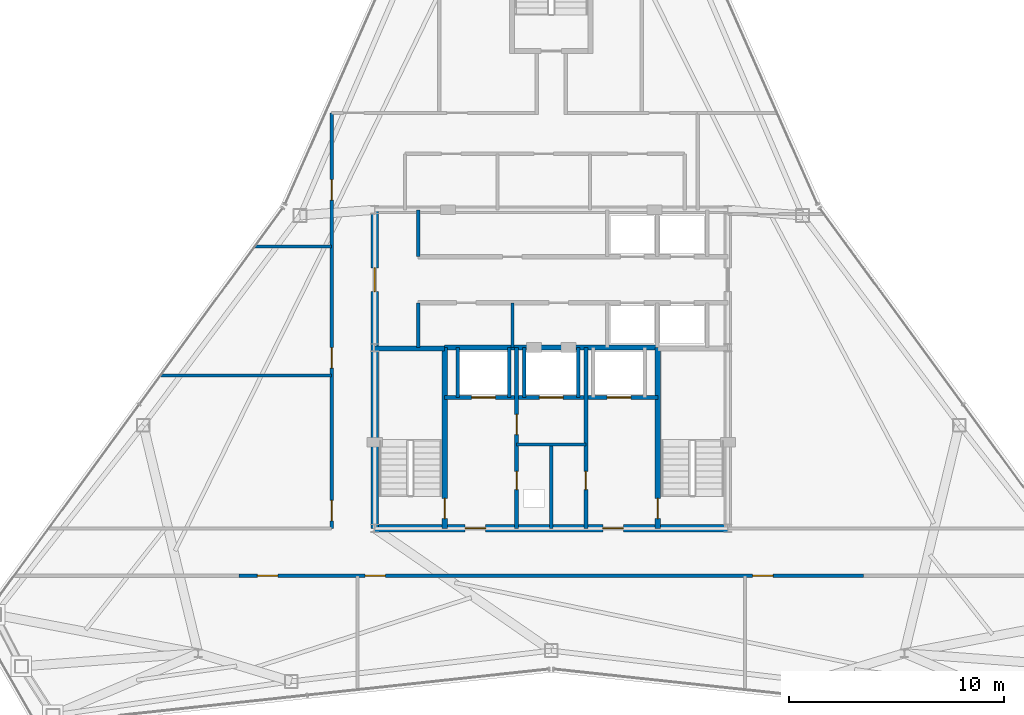
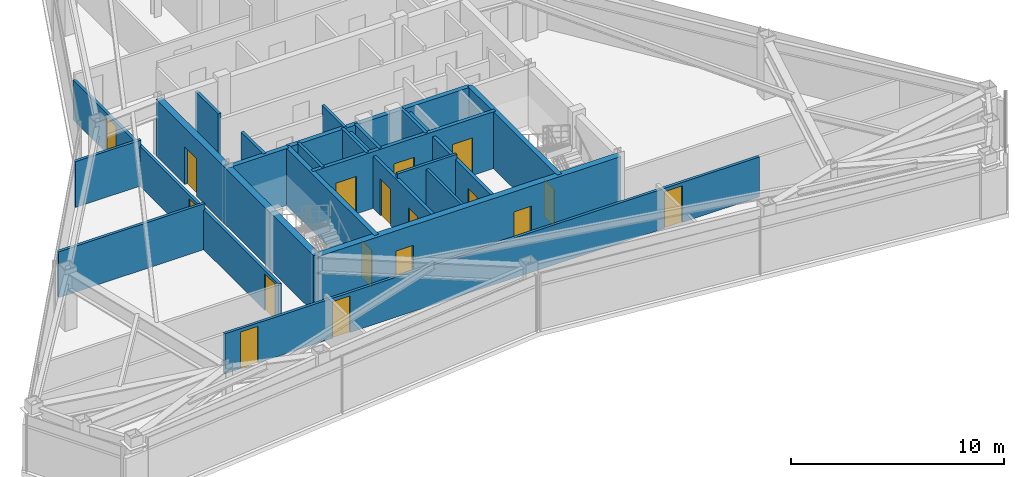
# One storey, part 9 of 12: 22 walls, 17 doors, 17 openings.
"""IFC4 building model written with IfcOpenShell, lengths in metres."""

from ifc_helpers import new_model, si_unit, direction, frame, frame_2d, origin, place, context, subcontext, project, spatial, rectangle, extrude, material, layer, layer_set, type_object, element, fill, save


model = new_model("IFC4")

# Units and contexts
model_context = context("Model", 3, precision=1e-05, world=origin(), true_north=direction((0.0, 1.0)))
body_context = subcontext(model_context, "Body", "Model", "MODEL_VIEW")
ifc_project = project(units=[si_unit("LENGTHUNIT", "METRE"), si_unit("AREAUNIT", "SQUARE_METRE"), si_unit("VOLUMEUNIT", "CUBIC_METRE"), si_unit("PLANEANGLEUNIT", "RADIAN"), si_unit("MASSUNIT", "GRAM", prefix="KILO")], contexts=[model_context])

# Site, building, storey
site_placement = place(None, origin())
site = spatial("IfcSite", under=ifc_project, at=site_placement, CompositionType="ELEMENT")
building_placement = place(site_placement, origin())
building = spatial("IfcBuilding", under=site, at=building_placement, Name="Varakhsha Concourse Tower", CompositionType="ELEMENT")
storey_placement = place(building_placement, frame((0.0, 0.0, 265.5)))
storey = spatial("IfcBuildingStorey", under=building, at=storey_placement, Name="L75", CompositionType="ELEMENT", Elevation=265.5)

# Wall, openings, doors
ifc_material_1 = material(Name="Concrete fc 65 MPa", Category="concrete")
ifc_layer_1 = layer(ifc_material_1, 0.35009765625, Name="WL-CORE-350")
ifc_layer_set_1 = layer_set([ifc_layer_1], Name="Concrete fc 65 MPa")
wall_type_1 = type_object("IfcWallType", Name="WL-CORE-350", PredefinedType="SHEAR", material=ifc_layer_set_1)
wall_1_placement = place(storey_placement, frame((31.800048828125, 16.39990234375, 0.0), z_axis=(0.0, 0.0, 1.0), x_axis=(1.0, 0.0, 0.0)))
wall_1 = element("IfcWall", 1, at=wall_1_placement, inside=storey, type_object=wall_type_1, Name="L75 Wall CWALL-S-L75", PredefinedType="SHEAR", context=body_context, shape_type="SweptSolid", body=[
    extrude(rectangle(XDim=16.39990234375, YDim=0.35009765625, at=frame_2d((8.199951171875, 0.0))), origin(), (0.0, 0.0, 1.0), 3.25),
])
opening_1_placement = place(wall_1_placement, frame((4.199951171875, 0.0, 0.0)))
opening_1 = element("IfcOpeningElement", 2, at=opening_1_placement, cuts=wall_1, Name="Opening DF-05", PredefinedType="OPENING", context=body_context, shape_type="SweptSolid", body=[
    extrude(rectangle(XDim=0.949951171875, YDim=2.10009765625, at=frame_2d((0.47509765625, 1.050048828125))), frame((0.0, 0.18505859375, 0.0), z_axis=(0.0, -1.0, 0.0), x_axis=(1.0, 0.0, 0.0)), (0.0, 0.0, 1.0), 0.3701171875),
])
opening_2_placement = place(wall_1_placement, frame((10.60009765625, 0.0, 0.0)))
opening_2 = element("IfcOpeningElement", 3, at=opening_2_placement, cuts=wall_1, Name="Opening DF-05", PredefinedType="OPENING", context=body_context, shape_type="SweptSolid", body=[
    extrude(rectangle(XDim=0.949951171875, YDim=2.10009765625, at=frame_2d((0.47509765625, 1.050048828125))), frame((0.0, 0.18505859375, 0.0), z_axis=(0.0, -1.0, 0.0), x_axis=(1.0, 0.0, 0.0)), (0.0, 0.0, 1.0), 0.3701171875),
])
ifc_material_2 = material(Name="Hollow Galvanised Steel Fire Door Assembly", Category="steel")
door_type_1 = type_object("IfcDoorType", Name="DR-FD60-950", OperationType="NOTDEFINED", PredefinedType="DOOR", material=ifc_material_2)
door_1_placement = place(opening_1_placement, origin())
door_1 = element("IfcDoor", 4, at=door_1_placement, inside=storey, type_object=door_type_1, Name="L75 Firefighting Lobby West Door", OperationType="SINGLE_SWING_RIGHT", OverallHeight=2.10009765625, OverallWidth=0.949951171875, PredefinedType="DOOR", context=body_context, shape_type="SweptSolid", body=[
    extrude(rectangle(XDim=0.949951171875, YDim=2.10009765625, at=frame_2d((0.47509765625, 1.050048828125))), frame((0.0, 0.02490234375, 0.0), z_axis=(0.0, -1.0, 0.0), x_axis=(1.0, 0.0, 0.0)), (0.0, 0.0, 1.0), 0.050048828125),
])
fill(opening_1, door_1)
door_2_placement = place(opening_2_placement, origin())
door_2 = element("IfcDoor", 5, at=door_2_placement, inside=storey, type_object=door_type_1, Name="L75 Firefighting Lobby East Door", OperationType="SINGLE_SWING_LEFT", OverallHeight=2.10009765625, OverallWidth=0.949951171875, PredefinedType="DOOR", context=body_context, shape_type="SweptSolid", body=[
    extrude(rectangle(XDim=0.949951171875, YDim=2.10009765625, at=frame_2d((0.47509765625, 1.050048828125))), frame((0.0, 0.02490234375, 0.0), z_axis=(0.0, -1.0, 0.0), x_axis=(1.0, 0.0, 0.0)), (0.0, 0.0, 1.0), 0.050048828125),
])
fill(opening_2, door_2)

# Wall, opening, door
wall_2_placement = place(storey_placement, frame((31.800048828125, 16.39990234375, 0.0), z_axis=(0.0, 0.0, 1.0), x_axis=(0.0, 1.0, 0.0)))
wall_2 = element("IfcWall", 6, at=wall_2_placement, inside=storey, type_object=wall_type_1, Name="L75 Wall CWALL-W-L75", PredefinedType="SHEAR", context=body_context, shape_type="SweptSolid", body=[
    extrude(rectangle(XDim=14.800048828125, YDim=0.35009765625, at=frame_2d((7.39990234375, 0.0))), origin(), (0.0, 0.0, 1.0), 3.25),
])
opening_3_placement = place(wall_2_placement, frame((11.0, 0.0, 0.0)))
opening_3 = element("IfcOpeningElement", 7, at=opening_3_placement, cuts=wall_2, Name="Opening DL-01", PredefinedType="OPENING", context=body_context, shape_type="SweptSolid", body=[
    extrude(rectangle(XDim=1.10009765625, YDim=2.14990234375, at=frame_2d((0.550048828125, 1.074951171875))), frame((0.0, 0.18505859375, 0.0), z_axis=(0.0, -1.0, 0.0), x_axis=(1.0, 0.0, 0.0)), (0.0, 0.0, 1.0), 0.3701171875),
])
ifc_material_3 = material(Name="Anodised Bronze Architectural Aluminium AA 6063-T6", Category="aluminium")
door_type_2 = type_object("IfcDoorType", Name="DR-LOB-1100", OperationType="NOTDEFINED", PredefinedType="DOOR", material=ifc_material_3)
door_3_placement = place(opening_3_placement, origin())
door_3 = element("IfcDoor", 8, at=door_3_placement, inside=storey, type_object=door_type_2, Name="L75 Lift Lobby West Concourse Door", OperationType="SINGLE_SWING_LEFT", OverallHeight=2.14990234375, OverallWidth=1.10009765625, PredefinedType="DOOR", context=body_context, shape_type="SweptSolid", body=[
    extrude(rectangle(XDim=1.10009765625, YDim=2.14990234375, at=frame_2d((0.550048828125, 1.074951171875))), frame((0.0, 0.02490234375, 0.0), z_axis=(0.0, -1.0, 0.0), x_axis=(1.0, 0.0, 0.0)), (0.0, 0.0, 1.0), 0.050048828125),
])
fill(opening_3, door_3)

# Wall, openings, doors
ifc_material_4 = material(Name="Fire-Rated Type X Gypsum Partition Assembly", Category="gypsum")
ifc_layer_2 = layer(ifc_material_4, 0.179931640625, Name="WL-FFLOB-180")
ifc_layer_set_2 = layer_set([ifc_layer_2], Name="Fire-Rated Type X Gypsum Partition Assembly")
wall_type_2 = type_object("IfcWallType", Name="WL-FFLOB-180", PredefinedType="PARTITIONING", material=ifc_layer_set_2)
wall_3_placement = place(storey_placement, frame((38.389892578125, 16.39990234375, 0.0), z_axis=(0.0, 0.0, 1.0), x_axis=(0.0, 1.0, 0.0)))
wall_3 = element("IfcWall", 9, at=wall_3_placement, inside=storey, type_object=wall_type_2, Name="L75 Wall FFW-1E-L75", PredefinedType="PARTITIONING", context=body_context, shape_type="SweptSolid", body=[
    extrude(rectangle(XDim=8.400146484375, YDim=0.179931640625, at=frame_2d((4.2001953125, 0.0))), origin(), (0.0, 0.0, 1.0), 2.97802734375),
])
opening_4_placement = place(wall_3_placement, frame((1.800048828125, 0.0, 0.0)))
opening_4 = element("IfcOpeningElement", 10, at=opening_4_placement, cuts=wall_3, Name="Opening DF-07", PredefinedType="OPENING", context=body_context, shape_type="SweptSolid", body=[
    extrude(rectangle(XDim=0.85009765625, YDim=2.050048828125, at=frame_2d((0.425048828125, 1.02490234375))), frame((0.0, 0.099853515625, 0.0), z_axis=(0.0, -1.0, 0.0), x_axis=(1.0, 0.0, 0.0)), (0.0, 0.0, 1.0), 0.199951171875),
])
opening_5_placement = place(wall_3_placement, frame((4.35009765625, 0.0, 0.0)))
opening_5 = element("IfcOpeningElement", 11, at=opening_5_placement, cuts=wall_3, Name="Opening DF-05", PredefinedType="OPENING", context=body_context, shape_type="SweptSolid", body=[
    extrude(rectangle(XDim=0.949951171875, YDim=2.10009765625, at=frame_2d((0.47509765625, 1.050048828125))), frame((0.0, 0.099853515625, 0.0), z_axis=(0.0, -1.0, 0.0), x_axis=(1.0, 0.0, 0.0)), (0.0, 0.0, 1.0), 0.199951171875),
])
door_type_3 = type_object("IfcDoorType", Name="DR-FD60-850", OperationType="NOTDEFINED", PredefinedType="DOOR", material=ifc_material_2)
door_4_placement = place(opening_4_placement, origin())
door_4 = element("IfcDoor", 12, at=door_4_placement, inside=storey, type_object=door_type_3, Name="L75 Power Metering Closet Door", OperationType="SINGLE_SWING_LEFT", OverallHeight=2.050048828125, OverallWidth=0.85009765625, PredefinedType="DOOR", context=body_context, shape_type="SweptSolid", body=[
    extrude(rectangle(XDim=0.85009765625, YDim=2.050048828125, at=frame_2d((0.425048828125, 1.02490234375))), frame((0.0, 0.02490234375, 0.0), z_axis=(0.0, -1.0, 0.0), x_axis=(1.0, 0.0, 0.0)), (0.0, 0.0, 1.0), 0.050048828125),
])
fill(opening_4, door_4)
door_5_placement = place(opening_5_placement, origin())
door_5 = element("IfcDoor", 13, at=door_5_placement, inside=storey, type_object=door_type_1, Name="L75 Service Vestibule Door", OperationType="SINGLE_SWING_RIGHT", OverallHeight=2.10009765625, OverallWidth=0.949951171875, PredefinedType="DOOR", context=body_context, shape_type="SweptSolid", body=[
    extrude(rectangle(XDim=0.949951171875, YDim=2.10009765625, at=frame_2d((0.47509765625, 1.050048828125))), frame((0.0, 0.02490234375, 0.0), z_axis=(0.0, -1.0, 0.0), x_axis=(1.0, 0.0, 0.0)), (0.0, 0.0, 1.0), 0.050048828125),
])
fill(opening_5, door_5)

# Wall, opening, door
wall_4_placement = place(storey_placement, frame((41.610107421875, 16.39990234375, 0.0), z_axis=(0.0, 0.0, 1.0), x_axis=(0.0, 1.0, 0.0)))
wall_4 = element("IfcWall", 14, at=wall_4_placement, inside=storey, type_object=wall_type_2, Name="L75 Wall FFW-2W-L75", PredefinedType="PARTITIONING", context=body_context, shape_type="SweptSolid", body=[
    extrude(rectangle(XDim=8.400146484375, YDim=0.179931640625, at=frame_2d((4.2001953125, 0.0))), origin(), (0.0, 0.0, 1.0), 2.97802734375),
])
opening_6_placement = place(wall_4_placement, frame((1.800048828125, 0.0, 0.0)))
opening_6 = element("IfcOpeningElement", 15, at=opening_6_placement, cuts=wall_4, Name="Opening DF-07", PredefinedType="OPENING", context=body_context, shape_type="SweptSolid", body=[
    extrude(rectangle(XDim=0.85009765625, YDim=2.050048828125, at=frame_2d((0.425048828125, 1.02490234375))), frame((0.0, 0.099853515625, 0.0), z_axis=(0.0, -1.0, 0.0), x_axis=(1.0, 0.0, 0.0)), (0.0, 0.0, 1.0), 0.199951171875),
])
door_6_placement = place(opening_6_placement, origin())
door_6 = element("IfcDoor", 16, at=door_6_placement, inside=storey, type_object=door_type_3, Name="L75 BMS Control Closet Door", OperationType="SINGLE_SWING_RIGHT", OverallHeight=2.050048828125, OverallWidth=0.85009765625, PredefinedType="DOOR", context=body_context, shape_type="SweptSolid", body=[
    extrude(rectangle(XDim=0.85009765625, YDim=2.050048828125, at=frame_2d((0.425048828125, 1.02490234375))), frame((0.0, 0.02490234375, 0.0), z_axis=(0.0, -1.0, 0.0), x_axis=(1.0, 0.0, 0.0)), (0.0, 0.0, 1.0), 0.050048828125),
])
fill(opening_6, door_6)

# Walls
ifc_layer_3 = layer(ifc_material_4, 0.14990234375, Name="WL-PART-150")
ifc_layer_set_3 = layer_set([ifc_layer_3], Name="Fire-Rated Type X Gypsum Partition Assembly")
wall_type_3 = type_object("IfcWallType", Name="WL-PART-150", PredefinedType="PARTITIONING", material=ifc_layer_set_3)
wall_5_placement = place(storey_placement, frame((38.389892578125, 20.300048828125, 0.0), z_axis=(0.0, 0.0, 1.0), x_axis=(1.0, 0.0, 0.0)))
element("IfcWall", 17, at=wall_5_placement, inside=storey, type_object=wall_type_3, Name="L75 Wall RSW-TH-L75", PredefinedType="PARTITIONING", context=body_context, shape_type="SweptSolid", body=[
    extrude(rectangle(XDim=3.22021484375, YDim=0.14990234375, at=frame_2d((1.610107421875, 0.0))), origin(), (0.0, 0.0, 1.0), 3.25),
])
wall_6_placement = place(storey_placement, frame((40.0, 16.39990234375, 0.0), z_axis=(0.0, 0.0, 1.0), x_axis=(0.0, 1.0, 0.0)))
element("IfcWall", 18, at=wall_6_placement, inside=storey, type_object=wall_type_3, Name="L75 Wall RSW-TV-L75", PredefinedType="PARTITIONING", context=body_context, shape_type="SweptSolid", body=[
    extrude(rectangle(XDim=3.900146484375, YDim=0.14990234375, at=frame_2d((1.9501953125, 0.0))), origin(), (0.0, 0.0, 1.0), 2.97802734375),
])
wall_7_placement = place(storey_placement, frame((38.199951171875, 24.800048828125, 0.0), z_axis=(0.0, 0.0, 1.0), x_axis=(0.0, 1.0, 0.0)))
element("IfcWall", 19, at=wall_7_placement, inside=storey, type_object=wall_type_3, Name="L75 Wall P2F-D1-L75", PredefinedType="PARTITIONING", context=body_context, shape_type="SweptSolid", body=[
    extrude(rectangle(XDim=2.079833984375, YDim=0.14990234375, at=frame_2d((1.0400390625, 0.0))), origin(), (0.0, 0.0, 1.0), 3.25),
])

# Wall, openings, doors
wall_8_placement = place(storey_placement, frame((29.800048828125, 16.39990234375, 0.0), z_axis=(0.0, 0.0, 1.0), x_axis=(0.0, 1.0, 0.0)))
wall_8 = element("IfcWall", 20, at=wall_8_placement, inside=storey, type_object=wall_type_3, Name="L75 Wall CRW-W-L75", PredefinedType="PARTITIONING", context=body_context, shape_type="SweptSolid", body=[
    extrude(rectangle(XDim=19.300048828125, YDim=0.14990234375, at=frame_2d((9.64990234375, 0.0))), origin(), (0.0, 0.0, 1.0), 2.2919921875),
])
opening_7_placement = place(wall_8_placement, frame((0.35009765625, 0.0, 0.0)))
opening_7 = element("IfcOpeningElement", 21, at=opening_7_placement, cuts=wall_8, Name="Opening DF-05", PredefinedType="OPENING", context=body_context, shape_type="SweptSolid", body=[
    extrude(rectangle(XDim=0.949951171875, YDim=2.10009765625, at=frame_2d((0.47509765625, 1.050048828125))), frame((0.0, 0.0849609375, 0.0), z_axis=(0.0, -1.0, 0.0), x_axis=(1.0, 0.0, 0.0)), (0.0, 0.0, 1.0), 0.169921875),
])
opening_8_placement = place(wall_8_placement, frame((7.449951171875, 0.0, 0.0)))
opening_8 = element("IfcOpeningElement", 22, at=opening_8_placement, cuts=wall_8, Name="Opening DF-05", PredefinedType="OPENING", context=body_context, shape_type="SweptSolid", body=[
    extrude(rectangle(XDim=0.949951171875, YDim=2.10009765625, at=frame_2d((0.47509765625, 1.050048828125))), frame((0.0, 0.0849609375, 0.0), z_axis=(0.0, -1.0, 0.0), x_axis=(1.0, 0.0, 0.0)), (0.0, 0.0, 1.0), 0.169921875),
])
opening_9_placement = place(wall_8_placement, frame((15.25, 0.0, 0.0)))
opening_9 = element("IfcOpeningElement", 23, at=opening_9_placement, cuts=wall_8, Name="Opening DF-05", PredefinedType="OPENING", context=body_context, shape_type="SweptSolid", body=[
    extrude(rectangle(XDim=0.949951171875, YDim=2.10009765625, at=frame_2d((0.47509765625, 1.050048828125))), frame((0.0, 0.0849609375, 0.0), z_axis=(0.0, -1.0, 0.0), x_axis=(1.0, 0.0, 0.0)), (0.0, 0.0, 1.0), 0.169921875),
])
door_7_placement = place(opening_7_placement, origin())
door_7 = element("IfcDoor", 24, at=door_7_placement, inside=storey, type_object=door_type_1, Name="L75 Legal Research Library L75 Door", OperationType="SINGLE_SWING_RIGHT", OverallHeight=2.10009765625, OverallWidth=0.949951171875, PredefinedType="DOOR", context=body_context, shape_type="SweptSolid", body=[
    extrude(rectangle(XDim=0.949951171875, YDim=2.10009765625, at=frame_2d((0.47509765625, 1.050048828125))), frame((0.0, 0.02490234375, 0.0), z_axis=(0.0, -1.0, 0.0), x_axis=(1.0, 0.0, 0.0)), (0.0, 0.0, 1.0), 0.050048828125),
])
fill(opening_7, door_7)
door_8_placement = place(opening_8_placement, origin())
door_8 = element("IfcDoor", 25, at=door_8_placement, inside=storey, type_object=door_type_1, Name="L75 Senior Partner Chamber L75-W2 Door", OperationType="SINGLE_SWING_LEFT", OverallHeight=2.10009765625, OverallWidth=0.949951171875, PredefinedType="DOOR", context=body_context, shape_type="SweptSolid", body=[
    extrude(rectangle(XDim=0.949951171875, YDim=2.10009765625, at=frame_2d((0.47509765625, 1.050048828125))), frame((0.0, 0.02490234375, 0.0), z_axis=(0.0, -1.0, 0.0), x_axis=(1.0, 0.0, 0.0)), (0.0, 0.0, 1.0), 0.050048828125),
])
fill(opening_8, door_8)
door_9_placement = place(opening_9_placement, origin())
door_9 = element("IfcDoor", 26, at=door_9_placement, inside=storey, type_object=door_type_1, Name="L75 Senior Partner Chamber L75-W3 Door", OperationType="SINGLE_SWING_RIGHT", OverallHeight=2.10009765625, OverallWidth=0.949951171875, PredefinedType="DOOR", context=body_context, shape_type="SweptSolid", body=[
    extrude(rectangle(XDim=0.949951171875, YDim=2.10009765625, at=frame_2d((0.47509765625, 1.050048828125))), frame((0.0, 0.02490234375, 0.0), z_axis=(0.0, -1.0, 0.0), x_axis=(1.0, 0.0, 0.0)), (0.0, 0.0, 1.0), 0.050048828125),
])
fill(opening_9, door_9)

wall_9_placement = place(storey_placement, frame((25.5, 14.199951171875, 0.0), z_axis=(0.0, 0.0, 1.0), x_axis=(1.0, 0.0, 0.0)))
wall_9 = element("IfcWall", 27, at=wall_9_placement, inside=storey, type_object=wall_type_3, Name="L75 Wall CRW-S-DOOR-L75", PredefinedType="PARTITIONING", context=body_context, shape_type="SweptSolid", body=[
    extrude(rectangle(XDim=29.0, YDim=0.14990234375, at=frame_2d((14.5, 0.0))), origin(), (0.0, 0.0, 1.0), 2.2919921875),
])
opening_10_placement = place(wall_9_placement, frame((0.85009765625, 0.0, 0.0)))
opening_10 = element("IfcOpeningElement", 28, at=opening_10_placement, cuts=wall_9, Name="Opening DF-05", PredefinedType="OPENING", context=body_context, shape_type="SweptSolid", body=[
    extrude(rectangle(XDim=0.949951171875, YDim=2.10009765625, at=frame_2d((0.47509765625, 1.050048828125))), frame((0.0, 0.0849609375, 0.0), z_axis=(0.0, -1.0, 0.0), x_axis=(1.0, 0.0, 0.0)), (0.0, 0.0, 1.0), 0.169921875),
])
opening_11_placement = place(wall_9_placement, frame((5.85009765625, 0.0, 0.0)))
opening_11 = element("IfcOpeningElement", 29, at=opening_11_placement, cuts=wall_9, Name="Opening DF-05", PredefinedType="OPENING", context=body_context, shape_type="SweptSolid", body=[
    extrude(rectangle(XDim=0.949951171875, YDim=2.10009765625, at=frame_2d((0.47509765625, 1.050048828125))), frame((0.0, 0.0849609375, 0.0), z_axis=(0.0, -1.0, 0.0), x_axis=(1.0, 0.0, 0.0)), (0.0, 0.0, 1.0), 0.169921875),
])
opening_12_placement = place(wall_9_placement, frame((23.85009765625, 0.0, 0.0)))
opening_12 = element("IfcOpeningElement", 30, at=opening_12_placement, cuts=wall_9, Name="Opening DF-05", PredefinedType="OPENING", context=body_context, shape_type="SweptSolid", body=[
    extrude(rectangle(XDim=0.949951171875, YDim=2.10009765625, at=frame_2d((0.47509765625, 1.050048828125))), frame((0.0, 0.0849609375, 0.0), z_axis=(0.0, -1.0, 0.0), x_axis=(1.0, 0.0, 0.0)), (0.0, 0.0, 1.0), 0.169921875),
])
door_10_placement = place(opening_10_placement, origin())
door_10 = element("IfcDoor", 31, at=door_10_placement, inside=storey, type_object=door_type_1, Name="L75 Deposition Conference Room L75-S1 Door", OperationType="SINGLE_SWING_LEFT", OverallHeight=2.10009765625, OverallWidth=0.949951171875, PredefinedType="DOOR", context=body_context, shape_type="SweptSolid", body=[
    extrude(rectangle(XDim=0.949951171875, YDim=2.10009765625, at=frame_2d((0.47509765625, 1.050048828125))), frame((0.0, 0.02490234375, 0.0), z_axis=(0.0, -1.0, 0.0), x_axis=(1.0, 0.0, 0.0)), (0.0, 0.0, 1.0), 0.050048828125),
])
fill(opening_10, door_10)
door_11_placement = place(opening_11_placement, origin())
door_11 = element("IfcDoor", 32, at=door_11_placement, inside=storey, type_object=door_type_1, Name="L75 Senior Partner Chamber L75-S2 Door", OperationType="SINGLE_SWING_RIGHT", OverallHeight=2.10009765625, OverallWidth=0.949951171875, PredefinedType="DOOR", context=body_context, shape_type="SweptSolid", body=[
    extrude(rectangle(XDim=0.949951171875, YDim=2.10009765625, at=frame_2d((0.47509765625, 1.050048828125))), frame((0.0, 0.02490234375, 0.0), z_axis=(0.0, -1.0, 0.0), x_axis=(1.0, 0.0, 0.0)), (0.0, 0.0, 1.0), 0.050048828125),
])
fill(opening_11, door_11)
door_12_placement = place(opening_12_placement, origin())
door_12 = element("IfcDoor", 33, at=door_12_placement, inside=storey, type_object=door_type_1, Name="L75 Senior Partner Chamber L75-S3 Door", OperationType="SINGLE_SWING_LEFT", OverallHeight=2.10009765625, OverallWidth=0.949951171875, PredefinedType="DOOR", context=body_context, shape_type="SweptSolid", body=[
    extrude(rectangle(XDim=0.949951171875, YDim=2.10009765625, at=frame_2d((0.47509765625, 1.050048828125))), frame((0.0, 0.02490234375, 0.0), z_axis=(0.0, -1.0, 0.0), x_axis=(1.0, 0.0, 0.0)), (0.0, 0.0, 1.0), 0.050048828125),
])
fill(opening_12, door_12)

# Walls
wall_10_placement = place(storey_placement, frame((21.852294921875, 23.5, 0.0), z_axis=(0.0, 0.0, 1.0), x_axis=(1.0, 0.0, 0.0)))
element("IfcWall", 34, at=wall_10_placement, inside=storey, type_object=wall_type_3, Name="L75 Wall ODIV-W1-L75", PredefinedType="PARTITIONING", context=body_context, shape_type="SweptSolid", body=[
    extrude(rectangle(XDim=7.94775390625, YDim=0.14990234375, at=frame_2d((3.973876953125, 0.0))), origin(), (0.0, 0.0, 1.0), 2.6279296875),
])
wall_11_placement = place(storey_placement, frame((26.236328125, 29.5, 0.0), z_axis=(0.0, 0.0, 1.0), x_axis=(1.0, 0.0, 0.0)))
element("IfcWall", 35, at=wall_11_placement, inside=storey, type_object=wall_type_3, Name="L75 Wall ODIV-W2-L75", PredefinedType="PARTITIONING", context=body_context, shape_type="SweptSolid", body=[
    extrude(rectangle(XDim=3.563720703125, YDim=0.14990234375, at=frame_2d((1.78173828125, 0.0))), origin(), (0.0, 0.0, 1.0), 2.6279296875),
])

# Wall, openings, doors
ifc_layer_4 = layer(ifc_material_4, 0.199951171875, Name="WL-SHAFT-220")
ifc_layer_set_4 = layer_set([ifc_layer_4], Name="Fire-Rated Type X Gypsum Partition Assembly")
wall_type_4 = type_object("IfcWallType", Name="WL-SHAFT-220", PredefinedType="SOLIDWALL", material=ifc_layer_set_4)
wall_12_placement = place(storey_placement, frame((35.044921875, 22.47998046875, 0.0), z_axis=(0.0, 0.0, 1.0), x_axis=(1.0, 0.0, 0.0)))
wall_12 = element("IfcWall", 36, at=wall_12_placement, inside=storey, type_object=wall_type_4, Name="L75 Wall FFW-NH-L75", PredefinedType="SOLIDWALL", context=body_context, shape_type="SweptSolid", body=[
    extrude(rectangle(XDim=9.91015625, YDim=0.199951171875, at=frame_2d((4.955078125, 0.0))), origin(), (0.0, 0.0, 1.0), 3.25),
])
opening_13_placement = place(wall_12_placement, frame((1.2548828125, 0.0, 0.0)))
opening_13 = element("IfcOpeningElement", 37, at=opening_13_placement, cuts=wall_12, Name="Opening LD-FFL-1", PredefinedType="OPENING", context=body_context, shape_type="SweptSolid", body=[
    extrude(rectangle(XDim=1.10009765625, YDim=2.14990234375, at=frame_2d((0.550048828125, 1.074951171875))), frame((0.0, 0.10986328125, 0.0), z_axis=(0.0, -1.0, 0.0), x_axis=(1.0, 0.0, 0.0)), (0.0, 0.0, 1.0), 0.219970703125),
])
opening_14_placement = place(wall_12_placement, frame((7.554931640625, 0.0, 0.0)))
opening_14 = element("IfcOpeningElement", 38, at=opening_14_placement, cuts=wall_12, Name="Opening LD-FFL-2", PredefinedType="OPENING", context=body_context, shape_type="SweptSolid", body=[
    extrude(rectangle(XDim=1.10009765625, YDim=2.14990234375, at=frame_2d((0.550048828125, 1.074951171875))), frame((0.0, 0.10986328125, 0.0), z_axis=(0.0, -1.0, 0.0), x_axis=(1.0, 0.0, 0.0)), (0.0, 0.0, 1.0), 0.219970703125),
])
opening_15_placement = place(wall_12_placement, frame((4.405029296875, 0.0, 0.0)))
opening_15 = element("IfcOpeningElement", 39, at=opening_15_placement, cuts=wall_12, Name="Opening LD-SVL-1", PredefinedType="OPENING", context=body_context, shape_type="SweptSolid", body=[
    extrude(rectangle(XDim=1.10009765625, YDim=2.14990234375, at=frame_2d((0.550048828125, 1.074951171875))), frame((0.0, 0.10986328125, 0.0), z_axis=(0.0, -1.0, 0.0), x_axis=(1.0, 0.0, 0.0)), (0.0, 0.0, 1.0), 0.219970703125),
])
ifc_material_5 = material(Name="Brushed Austenitic Stainless Steel AISI 316", Category="steel")
door_type_4 = type_object("IfcDoorType", Name="DR-LD-1100", OperationType="DOUBLE_DOOR_SLIDING", PredefinedType="DOOR", material=ifc_material_5)
door_13_placement = place(opening_13_placement, origin())
door_13 = element("IfcDoor", 40, at=door_13_placement, inside=storey, type_object=door_type_4, Name="Lift Landing Door FFL-1 L75", OperationType="DOUBLE_DOOR_SLIDING", OverallHeight=2.14990234375, OverallWidth=1.10009765625, PredefinedType="DOOR", context=body_context, shape_type="SweptSolid", body=[
    extrude(rectangle(XDim=1.10009765625, YDim=2.14990234375, at=frame_2d((0.550048828125, 1.074951171875))), frame((0.0, 0.02490234375, 0.0), z_axis=(0.0, -1.0, 0.0), x_axis=(1.0, 0.0, 0.0)), (0.0, 0.0, 1.0), 0.050048828125),
])
fill(opening_13, door_13)
door_14_placement = place(opening_14_placement, origin())
door_14 = element("IfcDoor", 41, at=door_14_placement, inside=storey, type_object=door_type_4, Name="Lift Landing Door FFL-2 L75", OperationType="DOUBLE_DOOR_SLIDING", OverallHeight=2.14990234375, OverallWidth=1.10009765625, PredefinedType="DOOR", context=body_context, shape_type="SweptSolid", body=[
    extrude(rectangle(XDim=1.10009765625, YDim=2.14990234375, at=frame_2d((0.550048828125, 1.074951171875))), frame((0.0, 0.02490234375, 0.0), z_axis=(0.0, -1.0, 0.0), x_axis=(1.0, 0.0, 0.0)), (0.0, 0.0, 1.0), 0.050048828125),
])
fill(opening_14, door_14)
door_15_placement = place(opening_15_placement, origin())
door_15 = element("IfcDoor", 42, at=door_15_placement, inside=storey, type_object=door_type_4, Name="Lift Landing Door SVL-1 L75", OperationType="DOUBLE_DOOR_SLIDING", OverallHeight=2.14990234375, OverallWidth=1.10009765625, PredefinedType="DOOR", context=body_context, shape_type="SweptSolid", body=[
    extrude(rectangle(XDim=1.10009765625, YDim=2.14990234375, at=frame_2d((0.550048828125, 1.074951171875))), frame((0.0, 0.02490234375, 0.0), z_axis=(0.0, -1.0, 0.0), x_axis=(1.0, 0.0, 0.0)), (0.0, 0.0, 1.0), 0.050048828125),
])
fill(opening_15, door_15)

# Walls
for number, where, z_axis, x_axis, name in (
    (43, (35.64990234375, 22.47998046875, 0.0), (0.0, 0.0, 1.0), (0.0, 1.0, 0.0), "L75 Wall SHW-FFL-1-W-L75"),
    (44, (38.050048828125, 22.47998046875, 0.0), (0.0, 0.0, 1.0), (0.0, 1.0, 0.0), "L75 Wall SHW-FFL-1-E-L75"),
    (45, (38.75, 22.47998046875, 0.0), (0.0, 0.0, 1.0), (0.0, 1.0, 0.0), "L75 Wall SHW-SVL-1-W-L75"),
    (46, (41.25, 22.47998046875, 0.0), (0.0, 0.0, 1.0), (0.0, 1.0, 0.0), "L75 Wall SHW-SVL-1-E-L75"),
):
    element("IfcWall", number, at=place(storey_placement, frame(where, z_axis=z_axis, x_axis=x_axis)), inside=storey, type_object=wall_type_4, Name=name, PredefinedType="SOLIDWALL", context=body_context, shape_type="SweptSolid", body=[
        extrude(rectangle(XDim=2.320068359375, YDim=0.159912109375, at=frame_2d((1.16015625, 0.0))), origin(), (0.0, 0.0, 1.0), 3.25),
    ])
wall_13_placement = place(storey_placement, frame((33.820068359375, 29.02001953125, 0.0), z_axis=(0.0, 0.0, 1.0), x_axis=(0.0, 1.0, 0.0)))
element("IfcWall", 47, at=wall_13_placement, inside=storey, type_object=wall_type_4, Name="L75 Wall WBOH-E1-L75", PredefinedType="SOLIDWALL", context=body_context, shape_type="SweptSolid", body=[
    extrude(rectangle(XDim=2.179931640625, YDim=0.159912109375, at=frame_2d((1.08984375, 0.0))), origin(), (0.0, 0.0, 1.0), 2.97802734375),
])
wall_14_placement = place(storey_placement, frame((33.820068359375, 24.800048828125, 0.0), z_axis=(0.0, 0.0, 1.0), x_axis=(0.0, 1.0, 0.0)))
element("IfcWall", 48, at=wall_14_placement, inside=storey, type_object=wall_type_4, Name="L75 Wall WBOH-E2-L75", PredefinedType="SOLIDWALL", context=body_context, shape_type="SweptSolid", body=[
    extrude(rectangle(XDim=2.079833984375, YDim=0.159912109375, at=frame_2d((1.0400390625, 0.0))), origin(), (0.0, 0.0, 1.0), 3.25),
])

# Wall, opening, door
ifc_material_6 = material(Name="Concrete fc 45 MPa", Category="concrete")
ifc_layer_5 = layer(ifc_material_6, 0.25, Name="WL-STAIR-250")
ifc_layer_set_5 = layer_set([ifc_layer_5], Name="Concrete fc 45 MPa")
wall_type_5 = type_object("IfcWallType", Name="WL-STAIR-250", PredefinedType="SHEAR", material=ifc_layer_set_5)
wall_15_placement = place(storey_placement, frame((35.044921875, 16.39990234375, 0.0), z_axis=(0.0, 0.0, 1.0), x_axis=(0.0, 1.0, 0.0)))
wall_15 = element("IfcWall", 49, at=wall_15_placement, inside=storey, type_object=wall_type_5, Name="L75 Wall SWALL-ST1-E-L75", PredefinedType="SHEAR", context=body_context, shape_type="SweptSolid", body=[
    extrude(rectangle(XDim=8.400146484375, YDim=0.25, at=frame_2d((4.2001953125, 0.0))), origin(), (0.0, 0.0, 1.0), 3.25),
])
opening_16_placement = place(wall_15_placement, frame((0.449951171875, 0.0, 0.0)))
opening_16 = element("IfcOpeningElement", 50, at=opening_16_placement, cuts=wall_15, Name="Opening DF-03", PredefinedType="OPENING", context=body_context, shape_type="SweptSolid", body=[
    extrude(rectangle(XDim=0.949951171875, YDim=2.10009765625, at=frame_2d((0.47509765625, 1.050048828125))), frame((0.0, 0.135009765625, 0.0), z_axis=(0.0, -1.0, 0.0), x_axis=(1.0, 0.0, 0.0)), (0.0, 0.0, 1.0), 0.27001953125),
])
door_type_5 = type_object("IfcDoorType", Name="DR-FD90-950", OperationType="NOTDEFINED", PredefinedType="DOOR", material=ifc_material_2)
door_16_placement = place(opening_16_placement, origin())
door_16 = element("IfcDoor", 51, at=door_16_placement, inside=storey, type_object=door_type_5, Name="L75 Stair ST1 Fire Door", OperationType="SINGLE_SWING_LEFT", OverallHeight=2.10009765625, OverallWidth=0.949951171875, PredefinedType="DOOR", context=body_context, shape_type="SweptSolid", body=[
    extrude(rectangle(XDim=0.949951171875, YDim=2.10009765625, at=frame_2d((0.47509765625, 1.050048828125))), frame((0.0, 0.02490234375, 0.0), z_axis=(0.0, -1.0, 0.0), x_axis=(1.0, 0.0, 0.0)), (0.0, 0.0, 1.0), 0.050048828125),
])
fill(opening_16, door_16)

# Wall
wall_16_placement = place(storey_placement, frame((31.800048828125, 24.7548828125, 0.0), z_axis=(0.0, 0.0, 1.0), x_axis=(1.0, 0.0, 0.0)))
element("IfcWall", 52, at=wall_16_placement, inside=storey, type_object=wall_type_5, Name="L75 Wall SWALL-ST1-N-L75", PredefinedType="SHEAR", context=body_context, shape_type="SweptSolid", body=[
    extrude(rectangle(XDim=3.244873046875, YDim=0.25, at=frame_2d((1.62255859375, 0.0))), origin(), (0.0, 0.0, 1.0), 3.25),
])

# Wall, opening, door
wall_17_placement = place(storey_placement, frame((44.955078125, 16.39990234375, 0.0), z_axis=(0.0, 0.0, 1.0), x_axis=(0.0, 1.0, 0.0)))
wall_17 = element("IfcWall", 53, at=wall_17_placement, inside=storey, type_object=wall_type_5, Name="L75 Wall SWALL-ST2-W-L75", PredefinedType="SHEAR", context=body_context, shape_type="SweptSolid", body=[
    extrude(rectangle(XDim=8.400146484375, YDim=0.25, at=frame_2d((4.2001953125, 0.0))), origin(), (0.0, 0.0, 1.0), 3.25),
])
opening_17_placement = place(wall_17_placement, frame((0.449951171875, 0.0, 0.0)))
opening_17 = element("IfcOpeningElement", 54, at=opening_17_placement, cuts=wall_17, Name="Opening DF-03", PredefinedType="OPENING", context=body_context, shape_type="SweptSolid", body=[
    extrude(rectangle(XDim=0.949951171875, YDim=2.10009765625, at=frame_2d((0.47509765625, 1.050048828125))), frame((0.0, 0.135009765625, 0.0), z_axis=(0.0, -1.0, 0.0), x_axis=(1.0, 0.0, 0.0)), (0.0, 0.0, 1.0), 0.27001953125),
])
door_17_placement = place(opening_17_placement, origin())
door_17 = element("IfcDoor", 55, at=door_17_placement, inside=storey, type_object=door_type_5, Name="L75 Stair ST2 Fire Door", OperationType="SINGLE_SWING_RIGHT", OverallHeight=2.10009765625, OverallWidth=0.949951171875, PredefinedType="DOOR", context=body_context, shape_type="SweptSolid", body=[
    extrude(rectangle(XDim=0.949951171875, YDim=2.10009765625, at=frame_2d((0.47509765625, 1.050048828125))), frame((0.0, 0.02490234375, 0.0), z_axis=(0.0, -1.0, 0.0), x_axis=(1.0, 0.0, 0.0)), (0.0, 0.0, 1.0), 0.050048828125),
])
fill(opening_17, door_17)

# Wall
wall_18_placement = place(storey_placement, frame((35.044921875, 24.800048828125, 0.0), z_axis=(0.0, 0.0, 1.0), x_axis=(1.0, 0.0, 0.0)))
element("IfcWall", 56, at=wall_18_placement, inside=storey, type_object=wall_type_5, Name="L75 Wall SWALL-MID-H-L75", PredefinedType="SHEAR", context=body_context, shape_type="SweptSolid", body=[
    extrude(rectangle(XDim=9.91015625, YDim=0.25, at=frame_2d((4.955078125, 0.0))), origin(), (0.0, 0.0, 1.0), 3.25),
])

save(model, "model.ifc")
